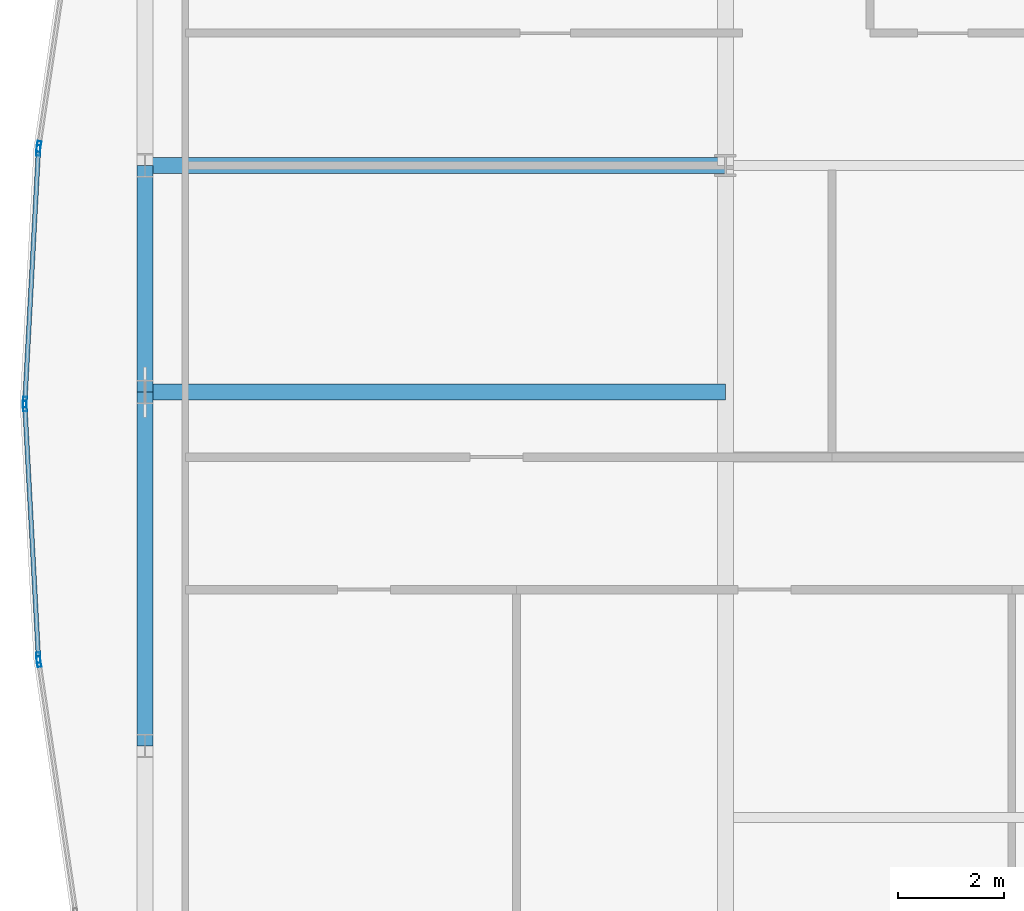
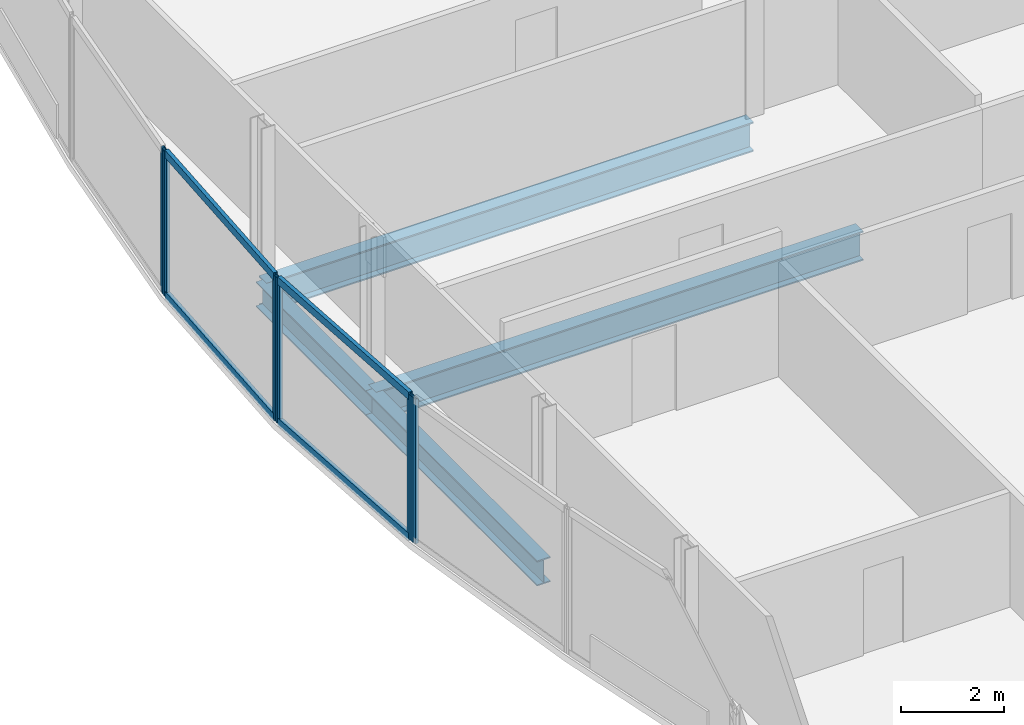
# One storey, part 10 of 30: 10 members, 4 beams, 4 elements without a shape of their own.
"""IFC4 building model written with IfcOpenShell, lengths in metres."""

from ifc_helpers import new_model, si_unit, direction, frame, origin, origin_2d, place, context, subcontext, project, spatial, hollow_rectangle, i_section, extrude, material, material_profile, profile_set, type_object, element, aggregate, save


model = new_model("IFC4")

# Units and contexts
model_context = context("Model", 3, precision=1e-05, world=origin(), true_north=direction((0.0, 1.0)))
body_context = subcontext(model_context, "Body", "Model", "MODEL_VIEW")
ifc_project = project(units=[si_unit("LENGTHUNIT", "METRE"), si_unit("AREAUNIT", "SQUARE_METRE"), si_unit("VOLUMEUNIT", "CUBIC_METRE"), si_unit("PLANEANGLEUNIT", "RADIAN"), si_unit("MASSUNIT", "GRAM", prefix="KILO")], contexts=[model_context])

# Site, building, storey
site_placement = place(None, origin())
site = spatial("IfcSite", under=ifc_project, at=site_placement, CompositionType="ELEMENT")
building_placement = place(site_placement, origin())
building = spatial("IfcBuilding", under=site, at=building_placement, Name="Khoronbel Lancet Exchange", CompositionType="ELEMENT")
storey_placement = place(building_placement, frame((0.0, 0.0, 206.60009765625)))
storey = spatial("IfcBuildingStorey", under=building, at=storey_placement, Name="L52", CompositionType="ELEMENT", Elevation=206.60009765625)

# Beams
ifc_material_1 = material(Name="Steel S355", Category="steel")
ifc_material_profile_1 = material_profile(ifc_material_1, i_section(OverallWidth=0.300048828125, OverallDepth=0.699951171875, WebThickness=0.01708984375, FlangeThickness=0.031982421875, at=origin_2d()), Name="HEB 700")
ifc_profile_set_1 = profile_set([ifc_material_profile_1], Name="Steel S355")
beam_type_1 = type_object("IfcBeamType", Name="BM-BG3", PredefinedType="BEAM", material=ifc_profile_set_1)
for number, where, z_axis, x_axis, name in (
    (1, (7.27001953125, 31.425048828125, -0.510009765625), (1.0, 0.0, 0.0), (0.0, 1.0, 0.0), "Level L52 west lens tie girder LG2W"),
    (2, (7.27001953125, 35.699951171875, -0.510009765625), (1.0, 0.0, 0.0), (0.0, 1.0, 0.0), "Level L52 west lens tie girder LG4W"),
):
    element("IfcBeam", number, at=place(storey_placement, frame(where, z_axis=z_axis, x_axis=x_axis)), inside=storey, type_object=beam_type_1, Name=name, PredefinedType="BEAM", context=body_context, shape_type="SweptSolid", body=[
        extrude(i_section(OverallWidth=0.300048828125, OverallDepth=0.699951171875, WebThickness=0.01708984375, FlangeThickness=0.031982421875, at=origin_2d()), origin(), (0.0, 0.0, 1.0), 10.955078125),
    ])
ifc_material_profile_2 = material_profile(ifc_material_1, i_section(OverallWidth=0.300048828125, OverallDepth=0.60009765625, WebThickness=0.015380859375, FlangeThickness=0.030029296875, at=origin_2d()), Name="HEB 600")
ifc_profile_set_2 = profile_set([ifc_material_profile_2], Name="Steel S355")
beam_type_2 = type_object("IfcBeamType", Name="BM-BSP2", PredefinedType="SPANDREL", material=ifc_profile_set_2)
beam_1_placement = place(storey_placement, frame((7.27001953125, 35.699951171875, -0.460205078125), z_axis=(0.0, -1.0, 0.0), x_axis=(1.0, 0.0, 0.0)))
element("IfcBeam", 3, at=beam_1_placement, inside=storey, type_object=beam_type_2, Name="Level L52 perimeter spandrel beam SP18", PredefinedType="SPANDREL", context=body_context, shape_type="SweptSolid", body=[
    extrude(i_section(OverallWidth=0.300048828125, OverallDepth=0.60009765625, WebThickness=0.015380859375, FlangeThickness=0.030029296875, at=origin_2d()), origin(), (0.0, 0.0, 1.0), 4.27490234375),
])
beam_2_placement = place(storey_placement, frame((7.27001953125, 31.425048828125, -0.460205078125), z_axis=(0.0, -1.0, 0.0), x_axis=(1.0, 0.0, 0.0)))
element("IfcBeam", 4, at=beam_2_placement, inside=storey, type_object=beam_type_2, Name="Level L52 perimeter spandrel beam SP19", PredefinedType="SPANDREL", context=body_context, shape_type="SweptSolid", body=[
    extrude(i_section(OverallWidth=0.300048828125, OverallDepth=0.60009765625, WebThickness=0.015380859375, FlangeThickness=0.030029296875, at=origin_2d()), origin(), (0.0, 0.0, 1.0), 6.675048828125),
])

# Curtain wall, member
ifc_material_2 = material(Name="Low-E Solar Control Insulating Glass", Category="glass")
curtain_wall_type = type_object("IfcCurtainWallType", Name="CW-4", PredefinedType="NOTDEFINED", material=ifc_material_2)
curtain_wall_1_placement = place(storey_placement, origin())
curtain_wall_1 = element("IfcCurtainWall", 5, at=curtain_wall_1_placement, inside=storey, type_object=curtain_wall_type, Name="Unitised curtain wall CW-L52-E05", PredefinedType="NOTDEFINED")
ifc_material_3 = material(Name="Bronze-Anodised Aluminium 6063-T6", Category="aluminium")
ifc_material_profile_3 = material_profile(ifc_material_3, hollow_rectangle(XDim=0.074951171875, YDim=0.199951171875, WallThickness=0.0048828125, at=origin_2d()), Name="ALU MULLION 75x200")
ifc_profile_set_3 = profile_set([ifc_material_profile_3], Name="Bronze-Anodised Aluminium 6063-T6")
member_type_1 = type_object("IfcMemberType", Name="MEM-CWM2", PredefinedType="MULLION", material=ifc_profile_set_3)
member_1_placement = place(storey_placement, frame((5.26513671875, 26.338623046875, 0.0), z_axis=(0.0, 0.0, 1.0), x_axis=(-0.989378391213, -0.145362990476, 0.0)))
member_1 = element("IfcMember", 6, at=member_1_placement, type_object=member_type_1, Name="CW4 mullion 2", PredefinedType="MULLION", context=body_context, shape_type="SweptSolid", body=[
    extrude(hollow_rectangle(XDim=0.074951171875, YDim=0.199951171875, WallThickness=0.0048828125, at=origin_2d()), origin(), (0.0, 0.0, 1.0), 3.43994140625),
])
aggregate(curtain_wall_1, [member_1])

# Curtain wall, members
curtain_wall_2_placement = place(storey_placement, origin())
curtain_wall_2 = element("IfcCurtainWall", 7, at=curtain_wall_2_placement, inside=storey, type_object=curtain_wall_type, Name="Unitised curtain wall CW-L52-E06", PredefinedType="NOTDEFINED")
member_2_placement = place(storey_placement, frame((5.257568359375, 26.4130859375, 0.0), z_axis=(0.0, 0.0, 1.0), x_axis=(-0.998557549659, -0.053691899007, 0.0)))
member_2 = element("IfcMember", 8, at=member_2_placement, type_object=member_type_1, Name="CW4 mullion 1", PredefinedType="MULLION", context=body_context, shape_type="SweptSolid", body=[
    extrude(hollow_rectangle(XDim=0.074951171875, YDim=0.199951171875, WallThickness=0.0048828125, at=origin_2d()), origin(), (0.0, 0.0, 1.0), 3.43994140625),
])
member_3_placement = place(storey_placement, frame((5.002197265625, 31.16259765625, 0.0), z_axis=(0.0, 0.0, 1.0), x_axis=(-0.998557549659, -0.053691899007, 0.0)))
member_3 = element("IfcMember", 9, at=member_3_placement, type_object=member_type_1, Name="CW4 mullion 2", PredefinedType="MULLION", context=body_context, shape_type="SweptSolid", body=[
    extrude(hollow_rectangle(XDim=0.074951171875, YDim=0.199951171875, WallThickness=0.0048828125, at=origin_2d()), origin(), (0.0, 0.0, 1.0), 3.43994140625),
])

curtain_wall_3_placement = place(storey_placement, origin())
curtain_wall_3 = element("IfcCurtainWall", 10, at=curtain_wall_3_placement, inside=storey, type_object=curtain_wall_type, Name="Unitised curtain wall CW-L52-E07", PredefinedType="NOTDEFINED")
member_4_placement = place(storey_placement, frame((5.002197265625, 31.237548828125, 0.0), z_axis=(0.0, 0.0, 1.0), x_axis=(-0.998557549659, 0.053691899007, 0.0)))
member_4 = element("IfcMember", 11, at=member_4_placement, type_object=member_type_1, Name="CW4 mullion 1", PredefinedType="MULLION", context=body_context, shape_type="SweptSolid", body=[
    extrude(hollow_rectangle(XDim=0.074951171875, YDim=0.199951171875, WallThickness=0.0048828125, at=origin_2d()), origin(), (0.0, 0.0, 1.0), 3.43994140625),
])
member_5_placement = place(storey_placement, frame((5.257568359375, 35.98681640625, 0.0), z_axis=(0.0, 0.0, 1.0), x_axis=(-0.998557549659, 0.053691899007, 0.0)))
member_5 = element("IfcMember", 12, at=member_5_placement, type_object=member_type_1, Name="CW4 mullion 2", PredefinedType="MULLION", context=body_context, shape_type="SweptSolid", body=[
    extrude(hollow_rectangle(XDim=0.074951171875, YDim=0.199951171875, WallThickness=0.0048828125, at=origin_2d()), origin(), (0.0, 0.0, 1.0), 3.43994140625),
])

# Curtain wall, member
curtain_wall_4_placement = place(storey_placement, origin())
curtain_wall_4 = element("IfcCurtainWall", 13, at=curtain_wall_4_placement, inside=storey, type_object=curtain_wall_type, Name="Unitised curtain wall CW-L52-E08", PredefinedType="NOTDEFINED")
member_6_placement = place(storey_placement, frame((5.26513671875, 36.0615234375, 0.0), z_axis=(0.0, 0.0, 1.0), x_axis=(-0.989378391213, 0.145362990476, 0.0)))
member_6 = element("IfcMember", 14, at=member_6_placement, type_object=member_type_1, Name="CW4 mullion 1", PredefinedType="MULLION", context=body_context, shape_type="SweptSolid", body=[
    extrude(hollow_rectangle(XDim=0.074951171875, YDim=0.199951171875, WallThickness=0.0048828125, at=origin_2d()), origin(), (0.0, 0.0, 1.0), 3.43994140625),
])
aggregate(curtain_wall_4, [member_6])

# Member
ifc_material_profile_4 = material_profile(ifc_material_3, hollow_rectangle(XDim=0.0849609375, YDim=0.179931640625, WallThickness=0.0048828125, at=origin_2d()), Name="ALU TRANSOM 85x180")
ifc_profile_set_4 = profile_set([ifc_material_profile_4], Name="Bronze-Anodised Aluminium 6063-T6")
member_type_2 = type_object("IfcMemberType", Name="MEM-CWT1", PredefinedType="USERDEFINED", material=ifc_profile_set_4)
member_7_placement = place(storey_placement, frame((5.255615234375, 26.45068359375, 0.04248046875), z_axis=(-0.053719458344, 0.998556067427, 0.0), x_axis=(-0.998556067427, -0.053719458344, 0.0)))
member_7 = element("IfcMember", 15, at=member_7_placement, type_object=member_type_2, Name="CW4 transom 1.1", ObjectType="TRANSOM", PredefinedType="USERDEFINED", context=body_context, shape_type="SweptSolid", body=[
    extrude(hollow_rectangle(XDim=0.0849609375, YDim=0.179931640625, WallThickness=0.0048828125, at=origin_2d()), origin(), (0.0, 0.0, 1.0), 4.68115234375),
])

member_8_placement = place(storey_placement, frame((5.255615234375, 26.45068359375, 3.3974609375), z_axis=(-0.053719458344, 0.998556067427, 0.0), x_axis=(-0.998556067427, -0.053719458344, 0.0)))
member_8 = element("IfcMember", 16, at=member_8_placement, type_object=member_type_2, Name="CW4 transom 1.2", ObjectType="TRANSOM", PredefinedType="USERDEFINED", context=body_context, shape_type="SweptSolid", body=[
    extrude(hollow_rectangle(XDim=0.0849609375, YDim=0.179931640625, WallThickness=0.0048828125, at=origin_2d()), origin(), (0.0, 0.0, 1.0), 4.68115234375),
])

aggregate(curtain_wall_2, [member_2, member_3, member_7, member_8])

member_9_placement = place(storey_placement, frame((5.004150390625, 31.27490234375, 0.04248046875), z_axis=(0.053716660806, 0.998556217923, 0.0), x_axis=(-0.998556217923, 0.053716660806, 0.0)))
member_9 = element("IfcMember", 17, at=member_9_placement, type_object=member_type_2, Name="CW4 transom 1.1", ObjectType="TRANSOM", PredefinedType="USERDEFINED", context=body_context, shape_type="SweptSolid", body=[
    extrude(hollow_rectangle(XDim=0.0849609375, YDim=0.179931640625, WallThickness=0.0048828125, at=origin_2d()), origin(), (0.0, 0.0, 1.0), 4.681396484375),
])

member_10_placement = place(storey_placement, frame((5.004150390625, 31.27490234375, 3.3974609375), z_axis=(0.053716660806, 0.998556217923, 0.0), x_axis=(-0.998556217923, 0.053716660806, 0.0)))
member_10 = element("IfcMember", 18, at=member_10_placement, type_object=member_type_2, Name="CW4 transom 1.2", ObjectType="TRANSOM", PredefinedType="USERDEFINED", context=body_context, shape_type="SweptSolid", body=[
    extrude(hollow_rectangle(XDim=0.0849609375, YDim=0.179931640625, WallThickness=0.0048828125, at=origin_2d()), origin(), (0.0, 0.0, 1.0), 4.681396484375),
])

aggregate(curtain_wall_3, [member_4, member_5, member_9, member_10])

save(model, "model.ifc")
